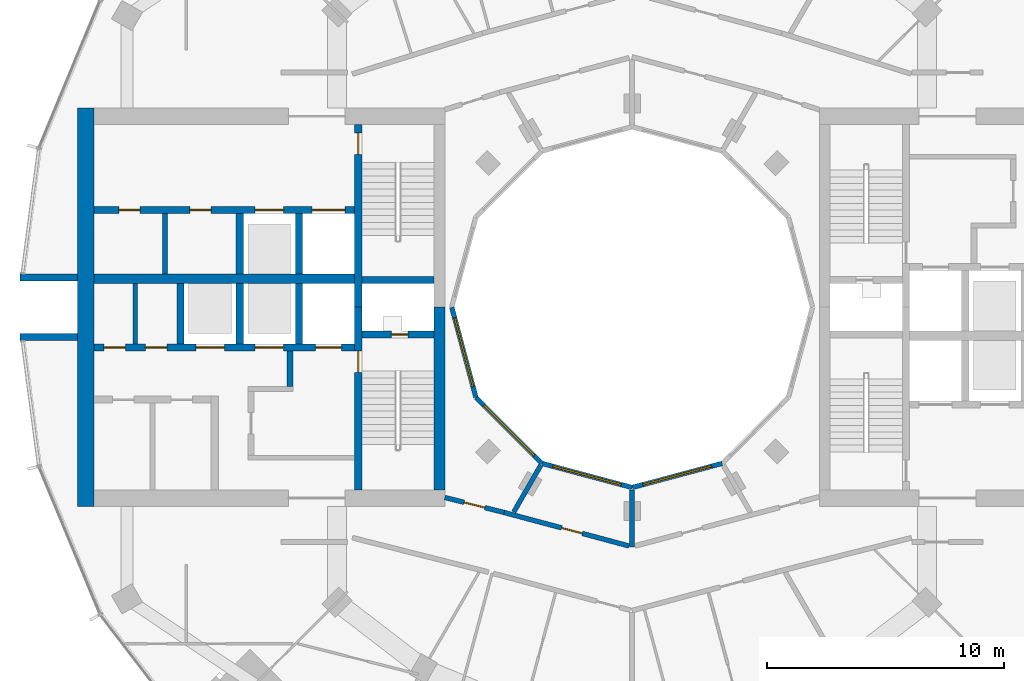
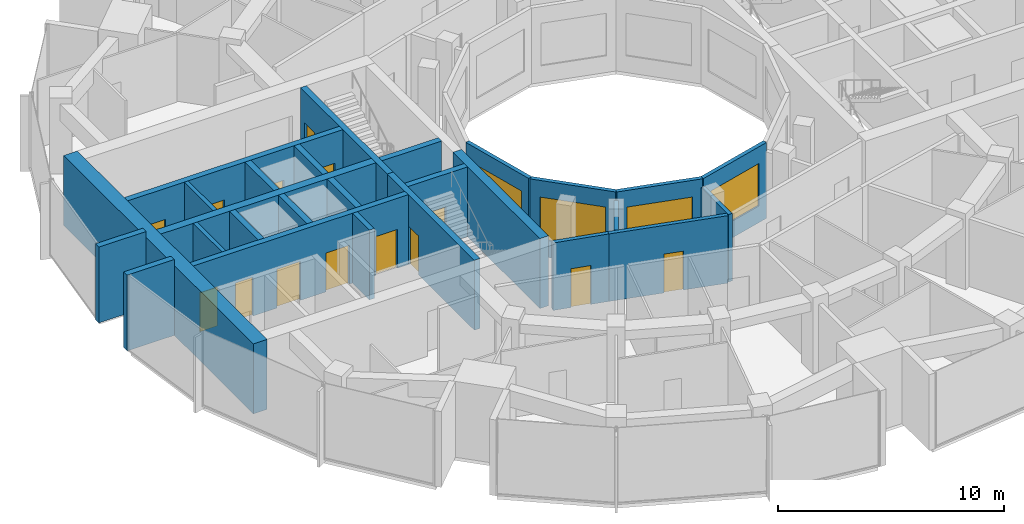
# One storey, part 9 of 15: 27 walls, 14 doors, 4 windows, 18 openings.
"""IFC4 building model written with IfcOpenShell, lengths in metres."""

import ifcopenshell
import ifcopenshell.guid

model = None  # the IFC model being written
_history = None  # IfcOwnerHistory: only IFC2X3 demands one
_inside = {}  # id of a spatial element -> (the spatial element, [elements in it])
_under = {}  # id of a project, library or spatial element -> (it, [spatial elements below it])
_declared = {}  # id of a project -> (the project, [libraries it declares])
_typed = {}  # id of a type object -> (the type object, [elements of that type])
_made_of = {}  # id of a material, layer set ... -> (it, [elements and type objects made of it])


def new_model(schema):
    """Start an empty IFC model of exactly this schema.

    Asked for "IFC4X3", IfcOpenShell would pick the latest addendum, in which some entities
    have other attributes; the version numbers below select the first issue.
    IFC2X3 requires an IfcOwnerHistory on every rooted entity: one is made here for all.
    """
    global model, _history
    if schema == "IFC4X3":
        model = ifcopenshell.file(schema_version=(4, 3, 0, 0))
    else:
        model = ifcopenshell.file(schema=schema)
    _inside.clear()
    _under.clear()
    _declared.clear()
    _typed.clear()
    _made_of.clear()
    _history = None
    if model.schema == "IFC2X3":
        org = make("IfcOrganization", Name="unknown")
        user = make(
            "IfcPersonAndOrganization",
            ThePerson=make("IfcPerson", FamilyName="unknown"),
            TheOrganization=org,
        )
        app = make(
            "IfcApplication",
            ApplicationDeveloper=org,
            Version="unknown",
            ApplicationFullName="unknown",
            ApplicationIdentifier="unknown",
        )
        _history = make(
            "IfcOwnerHistory",
            OwningUser=user,
            OwningApplication=app,
            ChangeAction="ADDED",
            CreationDate=0,
        )
    return model


def make(cls, **values):
    """One entity of the class cls with the attributes given. An attribute that is None is left unset."""
    return model.create_entity(
        cls, **{name: value for name, value in values.items() if value is not None}
    )


def rooted(cls, **values):
    """An entity with a GlobalId (a new one), such as an element, a storey or a relation."""
    return make(cls, GlobalId=ifcopenshell.guid.new(), OwnerHistory=_history, **values)


def si_unit(unit_type, name, prefix=None):
    """IfcSIUnit, for example si_unit("LENGTHUNIT", "METRE", prefix="MILLI")."""
    return make("IfcSIUnit", UnitType=unit_type, Prefix=prefix, Name=name)


def assignment(units):
    """IfcUnitAssignment: the units of a project."""
    return None if units is None else make("IfcUnitAssignment", Units=units)


def point(xyz):
    """IfcCartesianPoint."""
    return None if xyz is None else make("IfcCartesianPoint", Coordinates=xyz)


def direction(xyz):
    """IfcDirection."""
    return None if xyz is None else make("IfcDirection", DirectionRatios=xyz)


def frame(location, z_axis=None, x_axis=None):
    """IfcAxis2Placement3D, a coordinate frame: its origin and axes. An axis left out is left unset."""
    return make(
        "IfcAxis2Placement3D",
        Location=point(location),
        Axis=direction(z_axis),
        RefDirection=direction(x_axis),
    )


def frame_2d(location, x_axis=None):
    """IfcAxis2Placement2D, a coordinate frame in the plane: its origin and x axis."""
    return make(
        "IfcAxis2Placement2D", Location=point(location), RefDirection=direction(x_axis)
    )


def origin():
    """The frame at (0, 0, 0) with its axes left unset."""
    return frame((0.0, 0.0, 0.0))


def place(relative_to, where):
    """IfcLocalPlacement: puts the frame where relative to a parent placement (None: the world)."""
    return make(
        "IfcLocalPlacement", PlacementRelTo=relative_to, RelativePlacement=where
    )


def context(
    kind, dimensions, precision=None, world=None, true_north=None, identifier=None
):
    """IfcGeometricRepresentationContext, for example the 3D "Model" context."""
    return make(
        "IfcGeometricRepresentationContext",
        ContextIdentifier=identifier,
        ContextType=kind,
        CoordinateSpaceDimension=dimensions,
        Precision=precision,
        WorldCoordinateSystem=world,
        TrueNorth=true_north,
    )


def subcontext(parent, identifier, kind, view, scale=None):
    """IfcGeometricRepresentationSubContext, for example "Body" below "Model"."""
    return make(
        "IfcGeometricRepresentationSubContext",
        ContextIdentifier=identifier,
        ContextType=kind,
        ParentContext=parent,
        TargetScale=scale,
        TargetView=view,
    )


def project(units=None, contexts=None):
    """IfcProject with its units and contexts."""
    return rooted(
        "IfcProject",
        Name="project",
        RepresentationContexts=contexts,
        UnitsInContext=assignment(units),
    )


def spatial(cls, under=None, at=None, **own):
    """A site, building, storey or space (cls), placed at a placement, below another one or the project."""
    s = rooted(cls, ObjectPlacement=at, **own)
    if under is not None:
        _under.setdefault(under.id(), (under, []))[1].append(s)
    return s


def profile(cls, at=None, kind="AREA", **sizes):
    """A parametric profile (cls). Its sizes go by their IFC names, for example OverallWidth=200.0."""
    return make(cls, ProfileType=kind, Position=at, **sizes)


def rectangle(**sizes):
    """IfcRectangleProfileDef."""
    return profile("IfcRectangleProfileDef", **sizes)


def extrude(swept, where, along, depth):
    """IfcExtrudedAreaSolid: the profile swept, set in the frame where, extruded along a direction by depth."""
    return make(
        "IfcExtrudedAreaSolid",
        SweptArea=swept,
        Position=where,
        ExtrudedDirection=direction(along),
        Depth=depth,
    )


def shape(context_of_items, identifier, shape_type, items):
    """IfcShapeRepresentation: the items that make up one representation, for example the "Body"."""
    return make(
        "IfcShapeRepresentation",
        ContextOfItems=context_of_items,
        RepresentationIdentifier=identifier,
        RepresentationType=shape_type,
        Items=items,
    )


def material(Name=None, Category=None):
    """IfcMaterial."""
    return make("IfcMaterial", Name=Name, Category=Category)


def layer(
    of_material, thickness, ventilated=None, Name=None, Category=None, Priority=None
):
    """IfcMaterialLayer: one layer of a wall or slab, of a material (None: an air gap)."""
    return make(
        "IfcMaterialLayer",
        Material=of_material,
        LayerThickness=thickness,
        IsVentilated=ventilated,
        Name=Name,
        Category=Category,
        Priority=Priority,
    )


def layer_set(layers, Name=None):
    """IfcMaterialLayerSet."""
    return make("IfcMaterialLayerSet", MaterialLayers=layers, LayerSetName=Name)


def made_of(thing, what):
    """Note that an element or type object is made of a material, layer set ...; save() writes the relation."""
    if what is not None:
        _made_of.setdefault(what.id(), (what, []))[1].append(thing)
    return thing


def type_object(cls, material=None, **own):
    """A type object (cls), such as IfcWallType, which elements share."""
    return made_of(rooted(cls, **own), material)


def element(
    cls,
    number,
    at=None,
    inside=None,
    cuts=None,
    type_object=None,
    material=None,
    context=None,
    identifier="Body",
    shape_type=None,
    held_by="IfcProductDefinitionShape",
    body=None,
    shapes=None,
    **own,
):
    """One element of the class cls, such as IfcWall. Its Tag is "e" and its number.

    at: its placement. inside: the storey or other place that contains it. cuts: it is an
    opening in that element (IfcRelVoidsElement). A single representation is given by context,
    identifier, shape_type and body (its items); several are given by shapes. held_by: the class
    of the entity that holds the representations. save() writes the other relations.
    """
    e = rooted(cls, Tag="e%d" % number, ObjectPlacement=at, **own)
    if body is not None:
        shapes = [shape(context, identifier, shape_type, body)]
    if shapes is not None:
        e.Representation = make(held_by, Representations=shapes)
    if inside is not None:
        _inside.setdefault(inside.id(), (inside, []))[1].append(e)
    if cuts is not None:
        rooted(
            "IfcRelVoidsElement", RelatingBuildingElement=cuts, RelatedOpeningElement=e
        )
    if type_object is not None:
        _typed.setdefault(type_object.id(), (type_object, []))[1].append(e)
    return made_of(e, material)


def fill(opening, filler):
    """IfcRelFillsElement: the door or window that sits in an opening."""
    return rooted(
        "IfcRelFillsElement",
        RelatingOpeningElement=opening,
        RelatedBuildingElement=filler,
    )


def aggregate(whole, parts):
    """IfcRelAggregates: a whole, such as a stair, and the parts it consists of."""
    return rooted("IfcRelAggregates", RelatingObject=whole, RelatedObjects=parts)


def save(model, path):
    """Write the relations noted so far, then the file.

    IfcRelAggregates (storeys below a building ...), IfcRelContainedInSpatialStructure (elements
    in a storey), IfcRelDefinesByType, IfcRelAssociatesMaterial and IfcRelDeclares: one each for
    every whole, place, type object, material and project.
    """
    for whole, parts in _under.values():
        aggregate(whole, parts)
    for where, things in _inside.values():
        rooted(
            "IfcRelContainedInSpatialStructure",
            RelatedElements=things,
            RelatingStructure=where,
        )
    for kind, things in _typed.values():
        rooted("IfcRelDefinesByType", RelatedObjects=things, RelatingType=kind)
    for what, things in _made_of.values():
        rooted("IfcRelAssociatesMaterial", RelatedObjects=things, RelatingMaterial=what)
    for by, libraries in _declared.values():
        rooted("IfcRelDeclares", RelatingContext=by, RelatedDefinitions=libraries)
    model.write(path)


model = new_model("IFC4")

# Units and contexts
model_context = context("Model", 3, precision=1e-05, world=origin(), true_north=direction((0.0, 1.0)))
body_context = subcontext(model_context, "Body", "Model", "MODEL_VIEW")
ifc_project = project(units=[si_unit("LENGTHUNIT", "METRE"), si_unit("AREAUNIT", "SQUARE_METRE"), si_unit("VOLUMEUNIT", "CUBIC_METRE"), si_unit("PLANEANGLEUNIT", "RADIAN"), si_unit("MASSUNIT", "GRAM", prefix="KILO")], contexts=[model_context])

# Site, building, storey
site_placement = place(None, origin())
site = spatial("IfcSite", under=ifc_project, at=site_placement, CompositionType="ELEMENT")
building_placement = place(site_placement, origin())
building = spatial("IfcBuilding", under=site, at=building_placement, Name="Torre Brocal", CompositionType="ELEMENT")
storey_placement = place(building_placement, frame((0.0, 0.0, 161.800048828125)))
storey = spatial("IfcBuildingStorey", under=building, at=storey_placement, Name="L37", CompositionType="ELEMENT", Elevation=161.800048828125)

# Walls
ifc_material_1 = material(Name="Masonry block", Category="masonry")
ifc_layer_1 = layer(ifc_material_1, 0.199951171875)
ifc_layer_set_1 = layer_set([ifc_layer_1], Name="Masonry block")
wall_type_1 = type_object("IfcWallType", Name="CORE PARTITION 200", PredefinedType="PARTITIONING", material=ifc_layer_set_1)
for number, where, z_axis, x_axis, name in (
    (1, (59.050048828125, 76.0, 0.0), (0.0, 0.0, 1.0), (0.0, -1.0, 0.0), "Wall CP200"),
    (2, (60.300048828125, 78.949951171875, 0.0), (0.0, 0.0, 1.0), (0.0, -1.0, 0.0), "Wall CP200"),
):
    element("IfcWall", number, at=place(storey_placement, frame(where, z_axis=z_axis, x_axis=x_axis)), inside=storey, type_object=wall_type_1, Name=name, PredefinedType="PARTITIONING", context=body_context, shape_type="SweptSolid", body=[
        extrude(rectangle(XDim=2.550048828125, YDim=0.199951171875, at=frame_2d((1.27490234375, 0.0))), origin(), (0.0, 0.0, 1.0), 3.780029296875),
    ])
ifc_material_2 = material(Name="Concrete C70", Category="concrete")
ifc_layer_2 = layer(ifc_material_2, 0.25)
ifc_layer_set_2 = layer_set([ifc_layer_2], Name="Concrete C70")
wall_type_2 = type_object("IfcWallType", Name="CORE WALL 250 C70", PredefinedType="SHEAR", material=ifc_layer_set_2)
wall_1_placement = place(storey_placement, frame((65.574951171875, 73.14990234375, 0.0), z_axis=(0.0, 0.0, 1.0), x_axis=(0.0, -1.0, 0.0)))
element("IfcWall", 3, at=wall_1_placement, inside=storey, type_object=wall_type_2, Name="Wall CW250-70", PredefinedType="SHEAR", context=body_context, shape_type="SweptSolid", body=[
    extrude(rectangle(XDim=1.5, YDim=0.25, at=frame_2d((0.75, 0.0))), origin(), (0.0, 0.0, 1.0), 3.780029296875),
])

# Wall, opening, door
ifc_material_3 = material(Name="Concrete C70", Category="concrete")
ifc_layer_3 = layer(ifc_material_3, 0.300048828125)
ifc_layer_set_3 = layer_set([ifc_layer_3], Name="Concrete C70")
wall_type_3 = type_object("IfcWallType", Name="CORE WALL 300 C70", PredefinedType="SHEAR", material=ifc_layer_set_3)
wall_2_placement = place(storey_placement, frame((68.449951171875, 75.0, 0.0), z_axis=(0.0, 0.0, 1.0), x_axis=(0.0, -1.0, 0.0)))
wall_2 = element("IfcWall", 4, at=wall_2_placement, inside=storey, type_object=wall_type_3, Name="Wall CW300-70", PredefinedType="SHEAR", context=body_context, shape_type="SweptSolid", body=[
    extrude(rectangle(XDim=7.699951171875, YDim=0.300048828125, at=frame_2d((3.85009765625, 0.0))), origin(), (0.0, 0.0, 1.0), 3.780029296875),
])
opening_1_placement = place(wall_2_placement, frame((1.85009765625, 0.0, 0.0)))
opening_1 = element("IfcOpeningElement", 5, at=opening_1_placement, cuts=wall_2, Name="Opening W-D02", PredefinedType="OPENING", context=body_context, shape_type="SweptSolid", body=[
    extrude(rectangle(XDim=0.89990234375, YDim=2.10009765625, at=frame_2d((0.449951171875, 1.050048828125))), frame((0.0, 0.159912109375, 0.0), z_axis=(0.0, -1.0, 0.0), x_axis=(1.0, 0.0, 0.0)), (0.0, 0.0, 1.0), 0.320068359375),
])
ifc_material_4 = material(Name="Steel A653", Category="steel")
door_type_1 = type_object("IfcDoorType", Name="STAIR DOOR FD120 900X2100", OperationType="SINGLE_SWING_RIGHT", PredefinedType="DOOR", material=ifc_material_4)
door_1_placement = place(opening_1_placement, origin())
door_1 = element("IfcDoor", 6, at=door_1_placement, inside=storey, type_object=door_type_1, Name="Door W-D02", OperationType="SINGLE_SWING_LEFT", OverallHeight=2.10009765625, OverallWidth=0.89990234375, PredefinedType="DOOR", context=body_context, shape_type="SweptSolid", body=[
    extrude(rectangle(XDim=0.89990234375, YDim=2.10009765625, at=frame_2d((0.449951171875, 1.050048828125))), frame((0.0, 0.02490234375, 0.0), z_axis=(0.0, -1.0, 0.0), x_axis=(1.0, 0.0, 0.0)), (0.0, 0.0, 1.0), 0.050048828125),
])
fill(opening_1, door_1)

wall_3_placement = place(storey_placement, frame((68.449951171875, 82.699951171875, 0.0), z_axis=(0.0, 0.0, 1.0), x_axis=(0.0, -1.0, 0.0)))
wall_3 = element("IfcWall", 7, at=wall_3_placement, inside=storey, type_object=wall_type_3, Name="Wall CW300-70", PredefinedType="SHEAR", context=body_context, shape_type="SweptSolid", body=[
    extrude(rectangle(XDim=7.699951171875, YDim=0.300048828125, at=frame_2d((3.85009765625, 0.0))), origin(), (0.0, 0.0, 1.0), 3.780029296875),
])
opening_2_placement = place(wall_3_placement, frame((0.35009765625, 0.0, 0.0)))
opening_2 = element("IfcOpeningElement", 8, at=opening_2_placement, cuts=wall_3, Name="Opening W-D03", PredefinedType="OPENING", context=body_context, shape_type="SweptSolid", body=[
    extrude(rectangle(XDim=0.89990234375, YDim=2.10009765625, at=frame_2d((0.449951171875, 1.050048828125))), frame((0.0, 0.159912109375, 0.0), z_axis=(0.0, -1.0, 0.0), x_axis=(1.0, 0.0, 0.0)), (0.0, 0.0, 1.0), 0.320068359375),
])
door_2_placement = place(opening_2_placement, origin())
door_2 = element("IfcDoor", 9, at=door_2_placement, inside=storey, type_object=door_type_1, Name="Door W-D03", OperationType="SINGLE_SWING_LEFT", OverallHeight=2.10009765625, OverallWidth=0.89990234375, PredefinedType="DOOR", context=body_context, shape_type="SweptSolid", body=[
    extrude(rectangle(XDim=0.89990234375, YDim=2.10009765625, at=frame_2d((0.449951171875, 1.050048828125))), frame((0.0, 0.02490234375, 0.0), z_axis=(0.0, -1.0, 0.0), x_axis=(1.0, 0.0, 0.0)), (0.0, 0.0, 1.0), 0.050048828125),
])
fill(opening_2, door_2)

wall_4_placement = place(storey_placement, frame((71.64990234375, 73.85009765625, 0.0), z_axis=(0.0, 0.0, 1.0), x_axis=(-1.0, 0.0, 0.0)))
wall_4 = element("IfcWall", 10, at=wall_4_placement, inside=storey, type_object=wall_type_3, Name="Wall CW300-70", PredefinedType="SHEAR", context=body_context, shape_type="SweptSolid", body=[
    extrude(rectangle(XDim=3.0498046875, YDim=0.300048828125, at=frame_2d((1.52490234375, 0.0))), origin(), (0.0, 0.0, 1.0), 3.780029296875),
])
opening_3_placement = place(wall_4_placement, frame((1.10009765625, 0.0, 0.0)))
opening_3 = element("IfcOpeningElement", 11, at=opening_3_placement, cuts=wall_4, Name="Opening W-D01", PredefinedType="OPENING", context=body_context, shape_type="SweptSolid", body=[
    extrude(rectangle(XDim=0.699951171875, YDim=2.0, at=frame_2d((0.35009765625, 1.0))), frame((0.0, 0.159912109375, 0.0), z_axis=(0.0, -1.0, 0.0), x_axis=(1.0, 0.0, 0.0)), (0.0, 0.0, 1.0), 0.320068359375),
])
ifc_material_5 = material(Name="Steel A653", Category="steel")
door_type_2 = type_object("IfcDoorType", Name="RISER DOOR FD120 700X2000", OperationType="SINGLE_SWING_LEFT", PredefinedType="DOOR", material=ifc_material_5)
door_3_placement = place(opening_3_placement, frame((0.699951171875, 0.0, 0.0), z_axis=(0.0, 0.0, 1.0), x_axis=(-1.0, 0.0, 0.0)))
door_3 = element("IfcDoor", 12, at=door_3_placement, inside=storey, type_object=door_type_2, Name="Door W-D01", OperationType="SINGLE_SWING_RIGHT", OverallHeight=2.0, OverallWidth=0.699951171875, PredefinedType="DOOR", context=body_context, shape_type="SweptSolid", body=[
    extrude(rectangle(XDim=0.699951171875, YDim=2.0, at=frame_2d((0.35009765625, 1.0))), frame((0.0, 0.02490234375, 0.0), z_axis=(0.0, -1.0, 0.0), x_axis=(1.0, 0.0, 0.0)), (0.0, 0.0, 1.0), 0.050048828125),
])
fill(opening_3, door_3)

# Wall
wall_5_placement = place(storey_placement, frame((71.64990234375, 76.14990234375, 0.0), z_axis=(0.0, 0.0, 1.0), x_axis=(-1.0, 0.0, 0.0)))
element("IfcWall", 13, at=wall_5_placement, inside=storey, type_object=wall_type_3, Name="Wall CW300-70", PredefinedType="SHEAR", context=body_context, shape_type="SweptSolid", body=[
    extrude(rectangle(XDim=3.0498046875, YDim=0.300048828125, at=frame_2d((1.52490234375, 0.0))), origin(), (0.0, 0.0, 1.0), 3.780029296875),
])

# Wall, openings, doors
wall_6_placement = place(storey_placement, frame((68.300048828125, 73.300048828125, 0.0), z_axis=(0.0, 0.0, 1.0), x_axis=(-1.0, 0.0, 0.0)))
wall_6 = element("IfcWall", 14, at=wall_6_placement, inside=storey, type_object=wall_type_3, Name="Wall CW300-70", PredefinedType="SHEAR", context=body_context, shape_type="SweptSolid", body=[
    extrude(rectangle(XDim=11.0, YDim=0.300048828125, at=frame_2d((5.5, 0.0))), origin(), (0.0, 0.0, 1.0), 3.780029296875),
])
opening_4_placement = place(wall_6_placement, frame((0.550048828125, 0.0, 0.0)))
opening_4 = element("IfcOpeningElement", 15, at=opening_4_placement, cuts=wall_6, Name="Opening LD", PredefinedType="OPENING", context=body_context, shape_type="SweptSolid", body=[
    extrude(rectangle(XDim=1.10009765625, YDim=2.10009765625, at=frame_2d((0.550048828125, 1.050048828125))), frame((0.0, 0.159912109375, 0.0), z_axis=(0.0, -1.0, 0.0), x_axis=(1.0, 0.0, 0.0)), (0.0, 0.0, 1.0), 0.320068359375),
])
opening_5_placement = place(wall_6_placement, frame((3.0, 0.0, 0.0)))
opening_5 = element("IfcOpeningElement", 16, at=opening_5_placement, cuts=wall_6, Name="Opening LD12", PredefinedType="OPENING", context=body_context, shape_type="SweptSolid", body=[
    extrude(rectangle(XDim=1.199951171875, YDim=2.10009765625, at=frame_2d((0.60009765625, 1.050048828125))), frame((0.0, 0.159912109375, 0.0), z_axis=(0.0, -1.0, 0.0), x_axis=(1.0, 0.0, 0.0)), (0.0, 0.0, 1.0), 0.320068359375),
])
opening_6_placement = place(wall_6_placement, frame((5.5, 0.0, 0.0)))
opening_6 = element("IfcOpeningElement", 17, at=opening_6_placement, cuts=wall_6, Name="Opening LD12", PredefinedType="OPENING", context=body_context, shape_type="SweptSolid", body=[
    extrude(rectangle(XDim=1.199951171875, YDim=2.10009765625, at=frame_2d((0.60009765625, 1.050048828125))), frame((0.0, 0.159912109375, 0.0), z_axis=(0.0, -1.0, 0.0), x_axis=(1.0, 0.0, 0.0)), (0.0, 0.0, 1.0), 0.320068359375),
])
opening_7_placement = place(wall_6_placement, frame((7.925048828125, 0.0, 0.0)))
opening_7 = element("IfcOpeningElement", 18, at=opening_7_placement, cuts=wall_6, Name="Opening W-D04", PredefinedType="OPENING", context=body_context, shape_type="SweptSolid", body=[
    extrude(rectangle(XDim=0.89990234375, YDim=2.10009765625, at=frame_2d((0.449951171875, 1.050048828125))), frame((0.0, 0.159912109375, 0.0), z_axis=(0.0, -1.0, 0.0), x_axis=(1.0, 0.0, 0.0)), (0.0, 0.0, 1.0), 0.320068359375),
])
opening_8_placement = place(wall_6_placement, frame((9.675048828125, 0.0, 0.0)))
opening_8 = element("IfcOpeningElement", 19, at=opening_8_placement, cuts=wall_6, Name="Opening W-D05", PredefinedType="OPENING", context=body_context, shape_type="SweptSolid", body=[
    extrude(rectangle(XDim=0.89990234375, YDim=2.10009765625, at=frame_2d((0.449951171875, 1.050048828125))), frame((0.0, 0.159912109375, 0.0), z_axis=(0.0, -1.0, 0.0), x_axis=(1.0, 0.0, 0.0)), (0.0, 0.0, 1.0), 0.320068359375),
])
ifc_material_6 = material(Name="Stainless steel AISI 316", Category="steel")
door_type_3 = type_object("IfcDoorType", Name="LIFT LANDING DOOR 1100X2100", OperationType="DOUBLE_DOOR_SLIDING", PredefinedType="DOOR", material=ifc_material_6)
door_4_placement = place(opening_4_placement, origin())
door_4 = element("IfcDoor", 20, at=door_4_placement, inside=storey, type_object=door_type_3, Name="Door LD", OperationType="DOUBLE_DOOR_SLIDING", OverallHeight=2.10009765625, OverallWidth=1.10009765625, PredefinedType="DOOR", context=body_context, shape_type="SweptSolid", body=[
    extrude(rectangle(XDim=1.10009765625, YDim=2.10009765625, at=frame_2d((0.550048828125, 1.050048828125))), frame((0.0, 0.02490234375, 0.0), z_axis=(0.0, -1.0, 0.0), x_axis=(1.0, 0.0, 0.0)), (0.0, 0.0, 1.0), 0.050048828125),
])
fill(opening_4, door_4)
ifc_material_7 = material(Name="Stainless steel AISI 316", Category="steel")
door_type_4 = type_object("IfcDoorType", Name="LIFT LANDING DOOR 1200X2100", OperationType="DOUBLE_DOOR_SLIDING", PredefinedType="DOOR", material=ifc_material_7)
door_5_placement = place(opening_5_placement, origin())
door_5 = element("IfcDoor", 21, at=door_5_placement, inside=storey, type_object=door_type_4, Name="Door LD12", OperationType="DOUBLE_DOOR_SLIDING", OverallHeight=2.10009765625, OverallWidth=1.199951171875, PredefinedType="DOOR", context=body_context, shape_type="SweptSolid", body=[
    extrude(rectangle(XDim=1.199951171875, YDim=2.10009765625, at=frame_2d((0.60009765625, 1.050048828125))), frame((0.0, 0.02490234375, 0.0), z_axis=(0.0, -1.0, 0.0), x_axis=(1.0, 0.0, 0.0)), (0.0, 0.0, 1.0), 0.050048828125),
])
fill(opening_5, door_5)
door_6_placement = place(opening_6_placement, origin())
door_6 = element("IfcDoor", 22, at=door_6_placement, inside=storey, type_object=door_type_4, Name="Door LD12", OperationType="DOUBLE_DOOR_SLIDING", OverallHeight=2.10009765625, OverallWidth=1.199951171875, PredefinedType="DOOR", context=body_context, shape_type="SweptSolid", body=[
    extrude(rectangle(XDim=1.199951171875, YDim=2.10009765625, at=frame_2d((0.60009765625, 1.050048828125))), frame((0.0, 0.02490234375, 0.0), z_axis=(0.0, -1.0, 0.0), x_axis=(1.0, 0.0, 0.0)), (0.0, 0.0, 1.0), 0.050048828125),
])
fill(opening_6, door_6)
ifc_material_8 = material(Name="Steel A653", Category="steel")
door_type_5 = type_object("IfcDoorType", Name="ROOM DOOR FD30S 900X2100", OperationType="SINGLE_SWING_LEFT", PredefinedType="DOOR", material=ifc_material_8)
door_7_placement = place(opening_7_placement, frame((0.89990234375, 0.0, 0.0), z_axis=(0.0, 0.0, 1.0), x_axis=(-1.0, 0.0, 0.0)))
door_7 = element("IfcDoor", 23, at=door_7_placement, inside=storey, type_object=door_type_5, Name="Door W-D04", OperationType="SINGLE_SWING_LEFT", OverallHeight=2.10009765625, OverallWidth=0.89990234375, PredefinedType="DOOR", context=body_context, shape_type="SweptSolid", body=[
    extrude(rectangle(XDim=0.89990234375, YDim=2.10009765625, at=frame_2d((0.449951171875, 1.050048828125))), frame((0.0, 0.02490234375, 0.0), z_axis=(0.0, -1.0, 0.0), x_axis=(1.0, 0.0, 0.0)), (0.0, 0.0, 1.0), 0.050048828125),
])
fill(opening_7, door_7)
door_8_placement = place(opening_8_placement, frame((0.89990234375, 0.0, 0.0), z_axis=(0.0, 0.0, 1.0), x_axis=(-1.0, 0.0, 0.0)))
door_8 = element("IfcDoor", 24, at=door_8_placement, inside=storey, type_object=door_type_5, Name="Door W-D05", OperationType="SINGLE_SWING_RIGHT", OverallHeight=2.10009765625, OverallWidth=0.89990234375, PredefinedType="DOOR", context=body_context, shape_type="SweptSolid", body=[
    extrude(rectangle(XDim=0.89990234375, YDim=2.10009765625, at=frame_2d((0.449951171875, 1.050048828125))), frame((0.0, 0.02490234375, 0.0), z_axis=(0.0, -1.0, 0.0), x_axis=(1.0, 0.0, 0.0)), (0.0, 0.0, 1.0), 0.050048828125),
])
fill(opening_8, door_8)

wall_7_placement = place(storey_placement, frame((68.300048828125, 79.10009765625, 0.0), z_axis=(0.0, 0.0, 1.0), x_axis=(-1.0, 0.0, 0.0)))
wall_7 = element("IfcWall", 25, at=wall_7_placement, inside=storey, type_object=wall_type_3, Name="Wall CW300-70", PredefinedType="SHEAR", context=body_context, shape_type="SweptSolid", body=[
    extrude(rectangle(XDim=11.0, YDim=0.300048828125, at=frame_2d((5.5, 0.0))), origin(), (0.0, 0.0, 1.0), 3.780029296875),
])
opening_9_placement = place(wall_7_placement, frame((0.39990234375, 0.0, 0.0)))
opening_9 = element("IfcOpeningElement", 26, at=opening_9_placement, cuts=wall_7, Name="Opening LD14", PredefinedType="OPENING", context=body_context, shape_type="SweptSolid", body=[
    extrude(rectangle(XDim=1.39990234375, YDim=2.10009765625, at=frame_2d((0.699951171875, 1.050048828125))), frame((0.0, 0.159912109375, 0.0), z_axis=(0.0, -1.0, 0.0), x_axis=(1.0, 0.0, 0.0)), (0.0, 0.0, 1.0), 0.320068359375),
])
opening_10_placement = place(wall_7_placement, frame((3.0, 0.0, 0.0)))
opening_10 = element("IfcOpeningElement", 27, at=opening_10_placement, cuts=wall_7, Name="Opening LD12", PredefinedType="OPENING", context=body_context, shape_type="SweptSolid", body=[
    extrude(rectangle(XDim=1.199951171875, YDim=2.10009765625, at=frame_2d((0.60009765625, 1.050048828125))), frame((0.0, 0.159912109375, 0.0), z_axis=(0.0, -1.0, 0.0), x_axis=(1.0, 0.0, 0.0)), (0.0, 0.0, 1.0), 0.320068359375),
])
opening_11_placement = place(wall_7_placement, frame((6.050048828125, 0.0, 0.0)))
opening_11 = element("IfcOpeningElement", 28, at=opening_11_placement, cuts=wall_7, Name="Opening W-D06", PredefinedType="OPENING", context=body_context, shape_type="SweptSolid", body=[
    extrude(rectangle(XDim=0.89990234375, YDim=2.10009765625, at=frame_2d((0.449951171875, 1.050048828125))), frame((0.0, 0.159912109375, 0.0), z_axis=(0.0, -1.0, 0.0), x_axis=(1.0, 0.0, 0.0)), (0.0, 0.0, 1.0), 0.320068359375),
])
opening_12_placement = place(wall_7_placement, frame((9.050048828125, 0.0, 0.0)))
opening_12 = element("IfcOpeningElement", 29, at=opening_12_placement, cuts=wall_7, Name="Opening W-D07", PredefinedType="OPENING", context=body_context, shape_type="SweptSolid", body=[
    extrude(rectangle(XDim=0.89990234375, YDim=2.10009765625, at=frame_2d((0.449951171875, 1.050048828125))), frame((0.0, 0.159912109375, 0.0), z_axis=(0.0, -1.0, 0.0), x_axis=(1.0, 0.0, 0.0)), (0.0, 0.0, 1.0), 0.320068359375),
])
door_9_placement = place(opening_10_placement, origin())
door_9 = element("IfcDoor", 30, at=door_9_placement, inside=storey, type_object=door_type_4, Name="Door LD12", OperationType="DOUBLE_DOOR_SLIDING", OverallHeight=2.10009765625, OverallWidth=1.199951171875, PredefinedType="DOOR", context=body_context, shape_type="SweptSolid", body=[
    extrude(rectangle(XDim=1.199951171875, YDim=2.10009765625, at=frame_2d((0.60009765625, 1.050048828125))), frame((0.0, 0.02490234375, 0.0), z_axis=(0.0, -1.0, 0.0), x_axis=(1.0, 0.0, 0.0)), (0.0, 0.0, 1.0), 0.050048828125),
])
fill(opening_10, door_9)
ifc_material_9 = material(Name="Stainless steel AISI 316", Category="steel")
door_type_6 = type_object("IfcDoorType", Name="LIFT LANDING DOOR 1400X2100", OperationType="DOUBLE_DOOR_SLIDING", PredefinedType="DOOR", material=ifc_material_9)
door_10_placement = place(opening_9_placement, origin())
door_10 = element("IfcDoor", 31, at=door_10_placement, inside=storey, type_object=door_type_6, Name="Door LD14", OperationType="DOUBLE_DOOR_SLIDING", OverallHeight=2.10009765625, OverallWidth=1.39990234375, PredefinedType="DOOR", context=body_context, shape_type="SweptSolid", body=[
    extrude(rectangle(XDim=1.39990234375, YDim=2.10009765625, at=frame_2d((0.699951171875, 1.050048828125))), frame((0.0, 0.02490234375, 0.0), z_axis=(0.0, -1.0, 0.0), x_axis=(1.0, 0.0, 0.0)), (0.0, 0.0, 1.0), 0.050048828125),
])
fill(opening_9, door_10)
door_11_placement = place(opening_11_placement, origin())
door_11 = element("IfcDoor", 32, at=door_11_placement, inside=storey, type_object=door_type_5, Name="Door W-D06", OperationType="SINGLE_SWING_RIGHT", OverallHeight=2.10009765625, OverallWidth=0.89990234375, PredefinedType="DOOR", context=body_context, shape_type="SweptSolid", body=[
    extrude(rectangle(XDim=0.89990234375, YDim=2.10009765625, at=frame_2d((0.449951171875, 1.050048828125))), frame((0.0, 0.02490234375, 0.0), z_axis=(0.0, -1.0, 0.0), x_axis=(1.0, 0.0, 0.0)), (0.0, 0.0, 1.0), 0.050048828125),
])
fill(opening_11, door_11)
door_12_placement = place(opening_12_placement, origin())
door_12 = element("IfcDoor", 33, at=door_12_placement, inside=storey, type_object=door_type_5, Name="Door W-D07", OperationType="SINGLE_SWING_LEFT", OverallHeight=2.10009765625, OverallWidth=0.89990234375, PredefinedType="DOOR", context=body_context, shape_type="SweptSolid", body=[
    extrude(rectangle(XDim=0.89990234375, YDim=2.10009765625, at=frame_2d((0.449951171875, 1.050048828125))), frame((0.0, 0.02490234375, 0.0), z_axis=(0.0, -1.0, 0.0), x_axis=(1.0, 0.0, 0.0)), (0.0, 0.0, 1.0), 0.050048828125),
])
fill(opening_12, door_12)

# Walls
for number, where, z_axis, x_axis, name in (
    (34, (65.949951171875, 76.0, 0.0), (0.0, 0.0, 1.0), (0.0, -1.0, 0.0), "Wall CW300-70"),
    (35, (63.449951171875, 76.0, 0.0), (0.0, 0.0, 1.0), (0.0, -1.0, 0.0), "Wall CW300-70"),
    (36, (60.949951171875, 76.0, 0.0), (0.0, 0.0, 1.0), (0.0, -1.0, 0.0), "Wall CW300-70"),
    (37, (65.949951171875, 78.949951171875, 0.0), (0.0, 0.0, 1.0), (0.0, -1.0, 0.0), "Wall CW300-70"),
    (38, (63.449951171875, 78.949951171875, 0.0), (0.0, 0.0, 1.0), (0.0, -1.0, 0.0), "Wall CW300-70"),
):
    element("IfcWall", number, at=place(storey_placement, frame(where, z_axis=z_axis, x_axis=x_axis)), inside=storey, type_object=wall_type_3, Name=name, PredefinedType="SHEAR", context=body_context, shape_type="SweptSolid", body=[
        extrude(rectangle(XDim=2.550048828125, YDim=0.300048828125, at=frame_2d((1.27490234375, 0.0))), origin(), (0.0, 0.0, 1.0), 3.780029296875),
    ])
ifc_material_10 = material(Name="Concrete C70", Category="concrete")
ifc_layer_4 = layer(ifc_material_10, 0.39990234375)
ifc_layer_set_4 = layer_set([ifc_layer_4], Name="Concrete C70")
wall_type_4 = type_object("IfcWallType", Name="CORE WALL 400 C70", PredefinedType="SHEAR", material=ifc_layer_set_4)
wall_8_placement = place(storey_placement, frame((68.300048828125, 76.199951171875, 0.0), z_axis=(0.0, 0.0, 1.0), x_axis=(-1.0, 0.0, 0.0)))
element("IfcWall", 39, at=wall_8_placement, inside=storey, type_object=wall_type_4, Name="Wall CW400-70", PredefinedType="SHEAR", context=body_context, shape_type="SweptSolid", body=[
    extrude(rectangle(XDim=11.0, YDim=0.39990234375, at=frame_2d((5.5, 0.0))), origin(), (0.0, 0.0, 1.0), 3.780029296875),
])
ifc_material_11 = material(Name="Concrete C70", Category="concrete")
ifc_layer_5 = layer(ifc_material_11, 0.449951171875)
ifc_layer_set_5 = layer_set([ifc_layer_5], Name="Concrete C70")
wall_type_5 = type_object("IfcWallType", Name="CORE WALL 450 C70", PredefinedType="SHEAR", material=ifc_layer_set_5)
wall_9_placement = place(storey_placement, frame((71.875, 75.0, 0.0), z_axis=(0.0, 0.0, 1.0), x_axis=(0.0, -1.0, 0.0)))
element("IfcWall", 40, at=wall_9_placement, inside=storey, type_object=wall_type_5, Name="Wall CW450-70", PredefinedType="SHEAR", context=body_context, shape_type="SweptSolid", body=[
    extrude(rectangle(XDim=7.699951171875, YDim=0.449951171875, at=frame_2d((3.85009765625, 0.0))), origin(), (0.0, 0.0, 1.0), 3.780029296875),
])
ifc_material_12 = material(Name="Concrete C70", Category="concrete")
ifc_layer_6 = layer(ifc_material_12, 0.699951171875)
ifc_layer_set_6 = layer_set([ifc_layer_6], Name="Concrete C70")
wall_type_6 = type_object("IfcWallType", Name="CORE WALL 700 C70", PredefinedType="SHEAR", material=ifc_layer_set_6)
wall_10_placement = place(storey_placement, frame((56.949951171875, 83.39990234375, 0.0), z_axis=(0.0, 0.0, 1.0), x_axis=(0.0, -1.0, 0.0)))
element("IfcWall", 41, at=wall_10_placement, inside=storey, type_object=wall_type_6, Name="Wall CW700-70", PredefinedType="SHEAR", context=body_context, shape_type="SweptSolid", body=[
    extrude(rectangle(XDim=16.7998046875, YDim=0.699951171875, at=frame_2d((8.39990234375, 0.0))), origin(), (0.0, 0.0, 1.0), 3.780029296875),
])
ifc_material_13 = material(Name="Concrete C70", Category="concrete")
ifc_layer_7 = layer(ifc_material_13, 0.300048828125)
ifc_layer_set_7 = layer_set([ifc_layer_7], Name="Concrete C70")
wall_type_7 = type_object("IfcWallType", Name="NOTCH RETURN WALL 300 C70", PredefinedType="NOTDEFINED", material=ifc_layer_set_7)
for number, where, z_axis, x_axis, name in (
    (42, (56.60009765625, 76.25, 0.0), (0.0, 0.0, 1.0), (-1.0, 0.0, 0.0), "NOTCH RETURN WALL"),
    (43, (56.60009765625, 73.75, 0.0), (0.0, 0.0, 1.0), (-1.0, 0.0, 0.0), "NOTCH RETURN WALL"),
):
    element("IfcWall", number, at=place(storey_placement, frame(where, z_axis=z_axis, x_axis=x_axis)), inside=storey, type_object=wall_type_7, Name=name, PredefinedType="NOTDEFINED", context=body_context, shape_type="SweptSolid", body=[
        extrude(rectangle(XDim=2.415771484375, YDim=0.300048828125, at=frame_2d((1.2080078125, 0.0))), origin(), (0.0, 0.0, 1.0), 4.099853515625),
    ])

# Wall, opening, door
ifc_material_14 = material(Name="Gypsum board", Category="Gypsum")
ifc_layer_8 = layer(ifc_material_14, 0.199951171875)
ifc_layer_set_8 = layer_set([ifc_layer_8], Name="Gypsum board")
wall_type_8 = type_object("IfcWallType", Name="PARTITION 200 EI60", PredefinedType="PARTITIONING", material=ifc_layer_set_8)
wall_11_placement = place(storey_placement, frame((72.10009765625, 66.97509765625, 0.0), z_axis=(0.0, 0.0, 1.0), x_axis=(0.969471314457, -0.245204752086, 0.0)))
wall_11 = element("IfcWall", 44, at=wall_11_placement, inside=storey, type_object=wall_type_8, Name="CORRIDOR WALL", PredefinedType="PARTITIONING", context=body_context, shape_type="SweptSolid", body=[
    extrude(rectangle(XDim=2.581787109375, YDim=0.199951171875, at=frame_2d((1.291015625, 0.0))), origin(), (0.0, 0.0, 1.0), 3.64990234375),
])
opening_13_placement = place(wall_11_placement, frame((0.8408203125, 0.0, 0.0)))
opening_13 = element("IfcOpeningElement", 45, at=opening_13_placement, cuts=wall_11, Name="Opening R01-D38", PredefinedType="OPENING", context=body_context, shape_type="SweptSolid", body=[
    extrude(rectangle(XDim=0.89990234375, YDim=2.10009765625, at=frame_2d((0.449951171875, 1.050048828125))), frame((0.0, 0.10986328125, 0.0), z_axis=(0.0, -1.0, 0.0), x_axis=(1.0, 0.0, 0.0)), (0.0, 0.0, 1.0), 0.219970703125),
])
ifc_material_15 = material(Name="Timber", Category="wood")
door_type_7 = type_object("IfcDoorType", Name="ROOM DOOR 900X2100", OperationType="SINGLE_SWING_LEFT", PredefinedType="DOOR", material=ifc_material_15)
door_13_placement = place(opening_13_placement, origin())
door_13 = element("IfcDoor", 46, at=door_13_placement, inside=storey, type_object=door_type_7, Name="R01-D38", OperationType="SINGLE_SWING_LEFT", OverallHeight=2.10009765625, OverallWidth=0.89990234375, PredefinedType="DOOR", context=body_context, shape_type="SweptSolid", body=[
    extrude(rectangle(XDim=0.89990234375, YDim=2.10009765625, at=frame_2d((0.449951171875, 1.050048828125))), frame((0.0, 0.02490234375, 0.0), z_axis=(0.0, -1.0, 0.0), x_axis=(1.0, 0.0, 0.0)), (0.0, 0.0, 1.0), 0.050048828125),
])
fill(opening_13, door_13)

wall_12_placement = place(storey_placement, frame((74.60302734375, 66.342041015625, 0.0), z_axis=(0.0, 0.0, 1.0), x_axis=(0.965920893652, -0.258837453254, 0.0)))
wall_12 = element("IfcWall", 47, at=wall_12_placement, inside=storey, type_object=wall_type_8, Name="CORRIDOR WALL", PredefinedType="PARTITIONING", context=body_context, shape_type="SweptSolid", body=[
    extrude(rectangle(XDim=5.45751953125, YDim=0.199951171875, at=frame_2d((2.728759765625, 0.0))), origin(), (0.0, 0.0, 1.0), 3.64990234375),
])
opening_14_placement = place(wall_12_placement, frame((2.512451171875, 0.0, 0.0)))
opening_14 = element("IfcOpeningElement", 48, at=opening_14_placement, cuts=wall_12, Name="Opening R01-D37", PredefinedType="OPENING", context=body_context, shape_type="SweptSolid", body=[
    extrude(rectangle(XDim=0.89990234375, YDim=2.10009765625, at=frame_2d((0.449951171875, 1.050048828125))), frame((0.0, 0.10986328125, 0.0), z_axis=(0.0, -1.0, 0.0), x_axis=(1.0, 0.0, 0.0)), (0.0, 0.0, 1.0), 0.219970703125),
])
door_14_placement = place(opening_14_placement, origin())
door_14 = element("IfcDoor", 49, at=door_14_placement, inside=storey, type_object=door_type_7, Name="R01-D37", OperationType="SINGLE_SWING_LEFT", OverallHeight=2.10009765625, OverallWidth=0.89990234375, PredefinedType="DOOR", context=body_context, shape_type="SweptSolid", body=[
    extrude(rectangle(XDim=0.89990234375, YDim=2.10009765625, at=frame_2d((0.449951171875, 1.050048828125))), frame((0.0, 0.02490234375, 0.0), z_axis=(0.0, -1.0, 0.0), x_axis=(1.0, 0.0, 0.0)), (0.0, 0.0, 1.0), 0.050048828125),
])
fill(opening_14, door_14)

# Walls
wall_13_placement = place(storey_placement, frame((75.010009765625, 66.3642578125, 0.0), z_axis=(0.0, 0.0, 1.0), x_axis=(0.50017749597, 0.865922902183, 0.0)))
element("IfcWall", 50, at=wall_13_placement, inside=storey, type_object=wall_type_8, Name="PARTY PARTITION", PredefinedType="PARTITIONING", context=body_context, shape_type="SweptSolid", body=[
    extrude(rectangle(XDim=2.275634765625, YDim=0.199951171875, at=frame_2d((1.1376953125, 0.0))), origin(), (0.0, 0.0, 1.0), 3.64990234375),
])
wall_14_placement = place(storey_placement, frame((80.0, 64.89599609375, 0.0), z_axis=(0.0, 0.0, 1.0), x_axis=(0.0, 1.0, 0.0)))
element("IfcWall", 51, at=wall_14_placement, inside=storey, type_object=wall_type_8, Name="SERVICE ROOM WALL", PredefinedType="PARTITIONING", context=body_context, shape_type="SweptSolid", body=[
    extrude(rectangle(XDim=2.405029296875, YDim=0.199951171875, at=frame_2d((1.20263671875, 0.0))), origin(), (0.0, 0.0, 1.0), 3.64990234375),
])

# Wall, opening, window
ifc_material_16 = material(Name="Concrete C40", Category="concrete")
ifc_layer_9 = layer(ifc_material_16, 0.199951171875)
ifc_layer_set_9 = layer_set([ifc_layer_9], Name="Concrete C40")
wall_type_9 = type_object("IfcWallType", Name="WELL FACADE WALL 200", PredefinedType="NOTDEFINED", material=ifc_layer_set_9)
wall_15_placement = place(storey_placement, frame((72.396484375, 75.0, 0.0), z_axis=(0.0, 0.0, 1.0), x_axis=(0.258789828301, -0.965933654434, 0.0)))
wall_15 = element("IfcWall", 52, at=wall_15_placement, inside=storey, type_object=wall_type_9, Name="WELL FACADE WALL", PredefinedType="NOTDEFINED", context=body_context, shape_type="SweptSolid", body=[
    extrude(rectangle(XDim=3.935791015625, YDim=0.199951171875, at=frame_2d((1.9677734375, 0.0))), origin(), (0.0, 0.0, 1.0), 4.099853515625),
])
opening_15_placement = place(wall_15_placement, frame((0.468017578125, 0.0, 0.89990234375)))
opening_15 = element("IfcOpeningElement", 53, at=opening_15_placement, cuts=wall_15, Name="Opening W1", PredefinedType="OPENING", context=body_context, shape_type="SweptSolid", body=[
    extrude(rectangle(XDim=3.0, YDim=2.300048828125, at=frame_2d((1.5, 1.14990234375))), frame((0.0, 0.10986328125, 0.0), z_axis=(0.0, -1.0, 0.0), x_axis=(1.0, 0.0, 0.0)), (0.0, 0.0, 1.0), 0.219970703125),
])
ifc_material_17 = material(Name="Aluminium and glass", Category="aluminium")
window_type = type_object("IfcWindowType", Name="WELL WINDOW 3000X2300", PartitioningType="SINGLE_PANEL", PredefinedType="WINDOW", material=ifc_material_17)
window_1_placement = place(opening_15_placement, origin())
window_1 = element("IfcWindow", 54, at=window_1_placement, inside=storey, type_object=window_type, Name="WELL WINDOW 3000X2300", OverallHeight=2.300048828125, OverallWidth=3.0, PartitioningType="SINGLE_PANEL", PredefinedType="WINDOW", context=body_context, shape_type="SweptSolid", body=[
    extrude(rectangle(XDim=3.0, YDim=2.300048828125, at=frame_2d((1.5, 1.14990234375))), frame((0.0, 0.030029296875, 0.0), z_axis=(0.0, -1.0, 0.0), x_axis=(1.0, 0.0, 0.0)), (0.0, 0.0, 1.0), 0.06005859375),
])
fill(opening_15, window_1)

wall_16_placement = place(storey_placement, frame((73.4150390625, 71.1982421875, 0.0), z_axis=(0.0, 0.0, 1.0), x_axis=(0.707106781187, -0.707106781187, 0.0)))
wall_16 = element("IfcWall", 55, at=wall_16_placement, inside=storey, type_object=wall_type_9, Name="WELL FACADE WALL", PredefinedType="NOTDEFINED", context=body_context, shape_type="SweptSolid", body=[
    extrude(rectangle(XDim=3.93603515625, YDim=0.199951171875, at=frame_2d((1.968017578125, 0.0))), origin(), (0.0, 0.0, 1.0), 4.099853515625),
])
opening_16_placement = place(wall_16_placement, frame((0.468017578125, 0.0, 0.89990234375)))
opening_16 = element("IfcOpeningElement", 56, at=opening_16_placement, cuts=wall_16, Name="Opening W1", PredefinedType="OPENING", context=body_context, shape_type="SweptSolid", body=[
    extrude(rectangle(XDim=3.0, YDim=2.300048828125, at=frame_2d((1.5, 1.14990234375))), frame((0.0, 0.10986328125, 0.0), z_axis=(0.0, -1.0, 0.0), x_axis=(1.0, 0.0, 0.0)), (0.0, 0.0, 1.0), 0.219970703125),
])
window_2_placement = place(opening_16_placement, origin())
window_2 = element("IfcWindow", 57, at=window_2_placement, inside=storey, type_object=window_type, Name="WELL WINDOW 3000X2300", OverallHeight=2.300048828125, OverallWidth=3.0, PartitioningType="SINGLE_PANEL", PredefinedType="WINDOW", context=body_context, shape_type="SweptSolid", body=[
    extrude(rectangle(XDim=3.0, YDim=2.300048828125, at=frame_2d((1.5, 1.14990234375))), frame((0.0, 0.030029296875, 0.0), z_axis=(0.0, -1.0, 0.0), x_axis=(1.0, 0.0, 0.0)), (0.0, 0.0, 1.0), 0.06005859375),
])
fill(opening_16, window_2)

wall_17_placement = place(storey_placement, frame((76.1982421875, 68.4150390625, 0.0), z_axis=(0.0, 0.0, 1.0), x_axis=(0.965933654434, -0.258789828301, 0.0)))
wall_17 = element("IfcWall", 58, at=wall_17_placement, inside=storey, type_object=wall_type_9, Name="WELL FACADE WALL", PredefinedType="NOTDEFINED", context=body_context, shape_type="SweptSolid", body=[
    extrude(rectangle(XDim=3.935791015625, YDim=0.199951171875, at=frame_2d((1.9677734375, 0.0))), origin(), (0.0, 0.0, 1.0), 4.099853515625),
])
opening_17_placement = place(wall_17_placement, frame((0.468017578125, 0.0, 0.89990234375)))
opening_17 = element("IfcOpeningElement", 59, at=opening_17_placement, cuts=wall_17, Name="Opening W1", PredefinedType="OPENING", context=body_context, shape_type="SweptSolid", body=[
    extrude(rectangle(XDim=3.0, YDim=2.300048828125, at=frame_2d((1.5, 1.14990234375))), frame((0.0, 0.10986328125, 0.0), z_axis=(0.0, -1.0, 0.0), x_axis=(1.0, 0.0, 0.0)), (0.0, 0.0, 1.0), 0.219970703125),
])
window_3_placement = place(opening_17_placement, origin())
window_3 = element("IfcWindow", 60, at=window_3_placement, inside=storey, type_object=window_type, Name="WELL WINDOW 3000X2300", OverallHeight=2.300048828125, OverallWidth=3.0, PartitioningType="SINGLE_PANEL", PredefinedType="WINDOW", context=body_context, shape_type="SweptSolid", body=[
    extrude(rectangle(XDim=3.0, YDim=2.300048828125, at=frame_2d((1.5, 1.14990234375))), frame((0.0, 0.030029296875, 0.0), z_axis=(0.0, -1.0, 0.0), x_axis=(1.0, 0.0, 0.0)), (0.0, 0.0, 1.0), 0.06005859375),
])
fill(opening_17, window_3)

wall_18_placement = place(storey_placement, frame((80.0, 67.396484375, 0.0), z_axis=(0.0, 0.0, 1.0), x_axis=(0.965933654434, 0.258789828301, 0.0)))
wall_18 = element("IfcWall", 61, at=wall_18_placement, inside=storey, type_object=wall_type_9, Name="WELL FACADE WALL", PredefinedType="NOTDEFINED", context=body_context, shape_type="SweptSolid", body=[
    extrude(rectangle(XDim=3.935791015625, YDim=0.199951171875, at=frame_2d((1.9677734375, 0.0))), origin(), (0.0, 0.0, 1.0), 4.099853515625),
])
opening_18_placement = place(wall_18_placement, frame((0.468017578125, 0.0, 0.89990234375)))
opening_18 = element("IfcOpeningElement", 62, at=opening_18_placement, cuts=wall_18, Name="Opening W1", PredefinedType="OPENING", context=body_context, shape_type="SweptSolid", body=[
    extrude(rectangle(XDim=3.0, YDim=2.300048828125, at=frame_2d((1.5, 1.14990234375))), frame((0.0, 0.10986328125, 0.0), z_axis=(0.0, -1.0, 0.0), x_axis=(1.0, 0.0, 0.0)), (0.0, 0.0, 1.0), 0.219970703125),
])
window_4_placement = place(opening_18_placement, origin())
window_4 = element("IfcWindow", 63, at=window_4_placement, inside=storey, type_object=window_type, Name="WELL WINDOW 3000X2300", OverallHeight=2.300048828125, OverallWidth=3.0, PartitioningType="SINGLE_PANEL", PredefinedType="WINDOW", context=body_context, shape_type="SweptSolid", body=[
    extrude(rectangle(XDim=3.0, YDim=2.300048828125, at=frame_2d((1.5, 1.14990234375))), frame((0.0, 0.030029296875, 0.0), z_axis=(0.0, -1.0, 0.0), x_axis=(1.0, 0.0, 0.0)), (0.0, 0.0, 1.0), 0.06005859375),
])
fill(opening_18, window_4)

save(model, "model.ifc")
